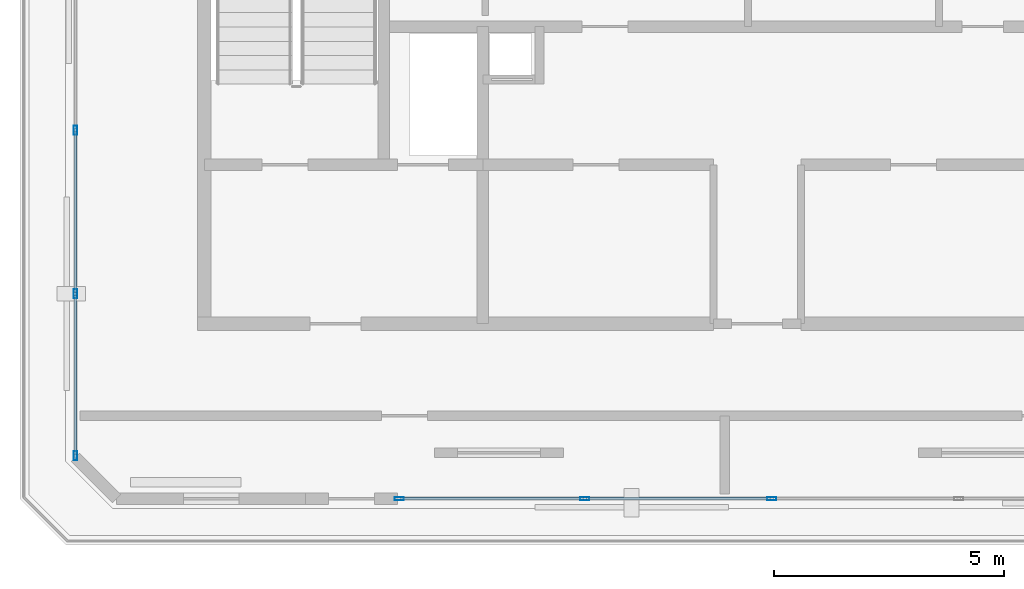
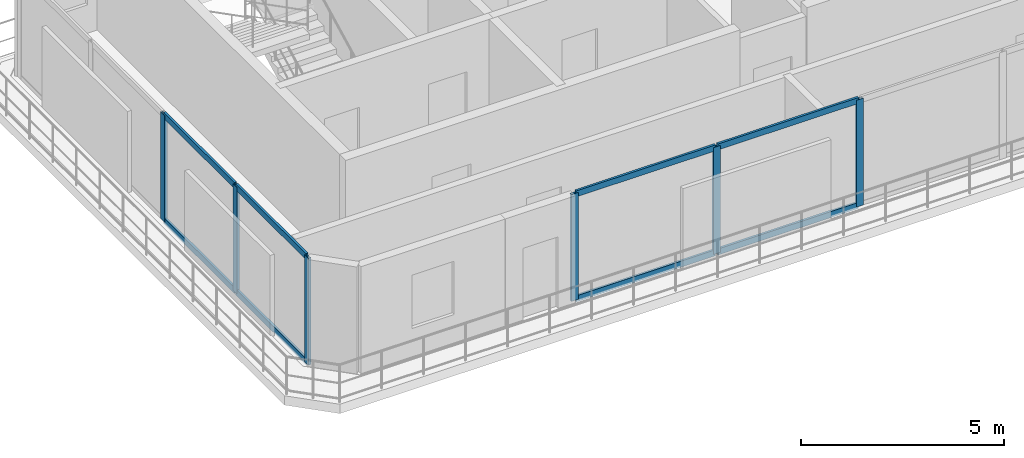
# One storey, part 1 of 7: 14 members, 2 elements without a shape of their own.
"""IFC4 building model written with IfcOpenShell, lengths in metres."""

from ifc_helpers import new_model, si_unit, direction, frame, origin, origin_2d, place, context, subcontext, project, spatial, hollow_rectangle, extrude, material, layer, layer_set, material_profile, profile_set, type_object, element, aggregate, save


model = new_model("IFC4")

# Units and contexts
model_context = context("Model", 3, precision=1e-05, world=origin(), true_north=direction((0.0, 1.0)))
body_context = subcontext(model_context, "Body", "Model", "MODEL_VIEW")
ifc_project = project(units=[si_unit("LENGTHUNIT", "METRE"), si_unit("AREAUNIT", "SQUARE_METRE"), si_unit("VOLUMEUNIT", "CUBIC_METRE"), si_unit("PLANEANGLEUNIT", "RADIAN"), si_unit("MASSUNIT", "GRAM", prefix="KILO")], contexts=[model_context])

# Site, building, storey
site_placement = place(None, origin())
site = spatial("IfcSite", under=ifc_project, at=site_placement, CompositionType="ELEMENT")
building_placement = place(site_placement, origin())
building = spatial("IfcBuilding", under=site, at=building_placement, Name="Catumbela Crestline Tower", CompositionType="ELEMENT")
storey_placement = place(building_placement, frame((0.0, 0.0, 308.0)))
storey = spatial("IfcBuildingStorey", under=building, at=storey_placement, Name="L79", CompositionType="ELEMENT", Elevation=308.0)

# Curtain wall, members
ifc_material = material(Name="Aluminium alloy AW-6060-T66", Category="aluminium")
ifc_layer = layer(ifc_material, 0.18, Name="Aluminium alloy AW-6060-T66")
ifc_layer_set = layer_set([ifc_layer], Name="Aluminium alloy AW-6060-T66")
curtain_wall_type = type_object("IfcCurtainWallType", Name="CWS-OBS", PredefinedType="USERDEFINED", material=ifc_layer_set)
curtain_wall_1_placement = place(storey_placement, origin())
curtain_wall_1 = element("IfcCurtainWall", 1, at=curtain_wall_1_placement, inside=storey, type_object=curtain_wall_type, Name="L79 Stick Curtain Wall CW-L79-E0S2", ObjectType="STICK", PredefinedType="USERDEFINED")
ifc_material_profile_1 = material_profile(ifc_material, hollow_rectangle(XDim=0.075, YDim=0.2, WallThickness=0.005, at=origin_2d()), Name="ALU 200x75x5")
ifc_profile_set_1 = profile_set([ifc_material_profile_1], Name="Aluminium alloy AW-6060-T66")
member_type_1 = type_object("IfcMemberType", Name="MUL-200X75", PredefinedType="MULLION", material=ifc_profile_set_1)
member_1_placement = place(storey_placement, frame((20.2325, 27.0, 0.0), z_axis=(0.0, 0.0, 1.0), x_axis=(0.0, 1.0, 0.0)))
member_1 = element("IfcMember", 2, at=member_1_placement, type_object=member_type_1, Name="CWS-OBS mullion 1", PredefinedType="MULLION", context=body_context, shape_type="SweptSolid", body=[
    extrude(hollow_rectangle(XDim=0.075, YDim=0.2, WallThickness=0.005, at=origin_2d()), origin(), (0.0, 0.0, 1.0), 3.21),
])
member_2_placement = place(storey_placement, frame((24.26, 27.0, 0.0), z_axis=(0.0, 0.0, 1.0), x_axis=(0.0, 1.0, 0.0)))
member_2 = element("IfcMember", 3, at=member_2_placement, type_object=member_type_1, Name="CWS-OBS mullion 2", PredefinedType="MULLION", context=body_context, shape_type="SweptSolid", body=[
    extrude(hollow_rectangle(XDim=0.075, YDim=0.2, WallThickness=0.005, at=origin_2d()), origin(), (0.0, 0.0, 1.0), 3.21),
])
member_3_placement = place(storey_placement, frame((28.32, 27.0, 0.0), z_axis=(0.0, 0.0, 1.0), x_axis=(0.0, 1.0, 0.0)))
member_3 = element("IfcMember", 4, at=member_3_placement, type_object=member_type_1, Name="CWS-OBS mullion 3", PredefinedType="MULLION", context=body_context, shape_type="SweptSolid", body=[
    extrude(hollow_rectangle(XDim=0.075, YDim=0.2, WallThickness=0.005, at=origin_2d()), origin(), (0.0, 0.0, 1.0), 3.21),
])

curtain_wall_2_placement = place(storey_placement, origin())
curtain_wall_2 = element("IfcCurtainWall", 5, at=curtain_wall_2_placement, inside=storey, type_object=curtain_wall_type, Name="L79 Stick Curtain Wall CW-L79-E6S1", ObjectType="STICK", PredefinedType="USERDEFINED")
member_4_placement = place(storey_placement, frame((13.2, 35.0, 0.0), z_axis=(0.0, 0.0, 1.0), x_axis=(1.0, 0.0, 0.0)))
member_4 = element("IfcMember", 6, at=member_4_placement, type_object=member_type_1, Name="CWS-OBS mullion 3", PredefinedType="MULLION", context=body_context, shape_type="SweptSolid", body=[
    extrude(hollow_rectangle(XDim=0.075, YDim=0.2, WallThickness=0.005, at=origin_2d()), origin(), (0.0, 0.0, 1.0), 3.21),
])
member_5_placement = place(storey_placement, frame((13.2, 31.45, 0.0), z_axis=(0.0, 0.0, 1.0), x_axis=(1.0, 0.0, 0.0)))
member_5 = element("IfcMember", 7, at=member_5_placement, type_object=member_type_1, Name="CWS-OBS mullion 4", PredefinedType="MULLION", context=body_context, shape_type="SweptSolid", body=[
    extrude(hollow_rectangle(XDim=0.075, YDim=0.2, WallThickness=0.005, at=origin_2d()), origin(), (0.0, 0.0, 1.0), 3.21),
])
member_6_placement = place(storey_placement, frame((13.2, 27.9325, 0.0), z_axis=(0.0, 0.0, 1.0), x_axis=(1.0, 0.0, 0.0)))
member_6 = element("IfcMember", 8, at=member_6_placement, type_object=member_type_1, Name="CWS-OBS mullion 5", PredefinedType="MULLION", context=body_context, shape_type="SweptSolid", body=[
    extrude(hollow_rectangle(XDim=0.075, YDim=0.2, WallThickness=0.005, at=origin_2d()), origin(), (0.0, 0.0, 1.0), 3.21),
])

# Member
ifc_material_profile_2 = material_profile(ifc_material, hollow_rectangle(XDim=0.065, YDim=0.18, WallThickness=0.004, at=origin_2d()), Name="ALU 180x65x4")
ifc_profile_set_2 = profile_set([ifc_material_profile_2], Name="Aluminium alloy AW-6060-T66")
member_type_2 = type_object("IfcMemberType", Name="TRN-180X65", PredefinedType="USERDEFINED", material=ifc_profile_set_2)
member_7_placement = place(storey_placement, frame((20.265, 27.0, 0.03), z_axis=(1.0, 0.0, 0.0), x_axis=(0.0, 1.0, 0.0)))
member_7 = element("IfcMember", 9, at=member_7_placement, type_object=member_type_2, Name="CWS-OBS transom 1.1", ObjectType="TRANSOM", PredefinedType="USERDEFINED", context=body_context, shape_type="SweptSolid", body=[
    extrude(hollow_rectangle(XDim=0.065, YDim=0.18, WallThickness=0.004, at=origin_2d()), origin(), (0.0, 0.0, 1.0), 3.9625),
])

member_8_placement = place(storey_placement, frame((20.265, 27.0, 3.18), z_axis=(1.0, 0.0, 0.0), x_axis=(0.0, 1.0, 0.0)))
member_8 = element("IfcMember", 10, at=member_8_placement, type_object=member_type_2, Name="CWS-OBS transom 1.2", ObjectType="TRANSOM", PredefinedType="USERDEFINED", context=body_context, shape_type="SweptSolid", body=[
    extrude(hollow_rectangle(XDim=0.065, YDim=0.18, WallThickness=0.004, at=origin_2d()), origin(), (0.0, 0.0, 1.0), 3.9625),
])

member_9_placement = place(storey_placement, frame((24.2925, 27.0, 0.03), z_axis=(1.0, 0.0, 0.0), x_axis=(0.0, 1.0, 0.0)))
member_9 = element("IfcMember", 11, at=member_9_placement, type_object=member_type_2, Name="CWS-OBS transom 2.1", ObjectType="TRANSOM", PredefinedType="USERDEFINED", context=body_context, shape_type="SweptSolid", body=[
    extrude(hollow_rectangle(XDim=0.065, YDim=0.18, WallThickness=0.004, at=origin_2d()), origin(), (0.0, 0.0, 1.0), 3.995),
])

member_10_placement = place(storey_placement, frame((24.2925, 27.0, 3.18), z_axis=(1.0, 0.0, 0.0), x_axis=(0.0, 1.0, 0.0)))
member_10 = element("IfcMember", 12, at=member_10_placement, type_object=member_type_2, Name="CWS-OBS transom 2.2", ObjectType="TRANSOM", PredefinedType="USERDEFINED", context=body_context, shape_type="SweptSolid", body=[
    extrude(hollow_rectangle(XDim=0.065, YDim=0.18, WallThickness=0.004, at=origin_2d()), origin(), (0.0, 0.0, 1.0), 3.995),
])

aggregate(curtain_wall_1, [member_1, member_2, member_3, member_7, member_8, member_9, member_10])

member_11_placement = place(storey_placement, frame((13.2, 34.9675, 0.03), z_axis=(0.0, -1.0, 0.0), x_axis=(1.0, 0.0, 0.0)))
member_11 = element("IfcMember", 13, at=member_11_placement, type_object=member_type_2, Name="CWS-OBS transom 3.1", ObjectType="TRANSOM", PredefinedType="USERDEFINED", context=body_context, shape_type="SweptSolid", body=[
    extrude(hollow_rectangle(XDim=0.065, YDim=0.18, WallThickness=0.004, at=origin_2d()), origin(), (0.0, 0.0, 1.0), 3.485),
])

member_12_placement = place(storey_placement, frame((13.2, 34.9675, 3.18), z_axis=(0.0, -1.0, 0.0), x_axis=(1.0, 0.0, 0.0)))
member_12 = element("IfcMember", 14, at=member_12_placement, type_object=member_type_2, Name="CWS-OBS transom 3.2", ObjectType="TRANSOM", PredefinedType="USERDEFINED", context=body_context, shape_type="SweptSolid", body=[
    extrude(hollow_rectangle(XDim=0.065, YDim=0.18, WallThickness=0.004, at=origin_2d()), origin(), (0.0, 0.0, 1.0), 3.485),
])

member_13_placement = place(storey_placement, frame((13.2, 31.4175, 0.03), z_axis=(0.0, -1.0, 0.0), x_axis=(1.0, 0.0, 0.0)))
member_13 = element("IfcMember", 15, at=member_13_placement, type_object=member_type_2, Name="CWS-OBS transom 4.1", ObjectType="TRANSOM", PredefinedType="USERDEFINED", context=body_context, shape_type="SweptSolid", body=[
    extrude(hollow_rectangle(XDim=0.065, YDim=0.18, WallThickness=0.004, at=origin_2d()), origin(), (0.0, 0.0, 1.0), 3.4525),
])

member_14_placement = place(storey_placement, frame((13.2, 31.4175, 3.18), z_axis=(0.0, -1.0, 0.0), x_axis=(1.0, 0.0, 0.0)))
member_14 = element("IfcMember", 16, at=member_14_placement, type_object=member_type_2, Name="CWS-OBS transom 4.2", ObjectType="TRANSOM", PredefinedType="USERDEFINED", context=body_context, shape_type="SweptSolid", body=[
    extrude(hollow_rectangle(XDim=0.065, YDim=0.18, WallThickness=0.004, at=origin_2d()), origin(), (0.0, 0.0, 1.0), 3.4525),
])

aggregate(curtain_wall_2, [member_4, member_5, member_6, member_11, member_12, member_13, member_14])

save(model, "model.ifc")
